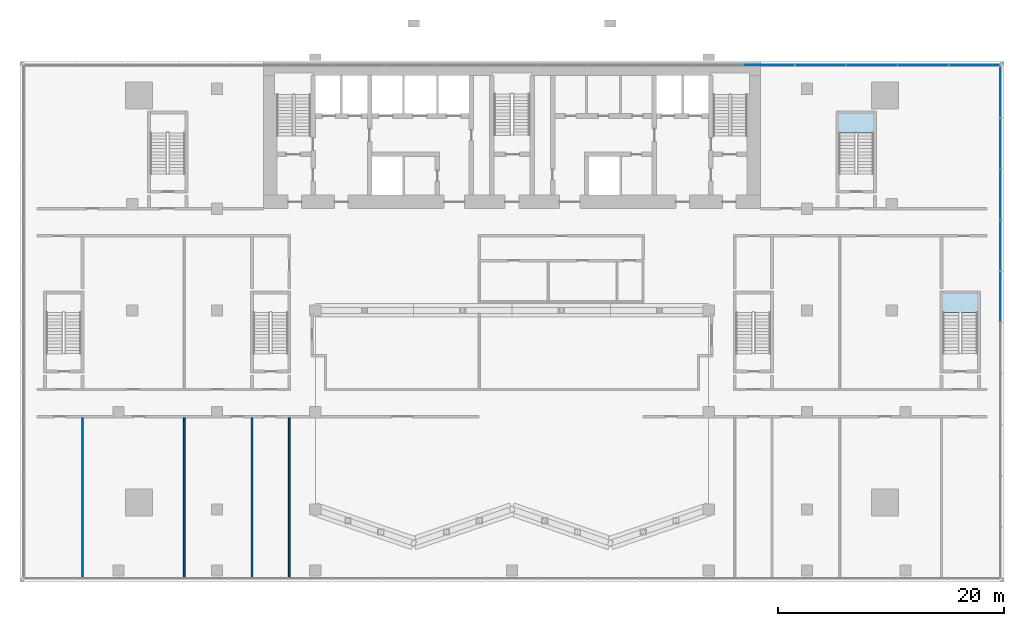
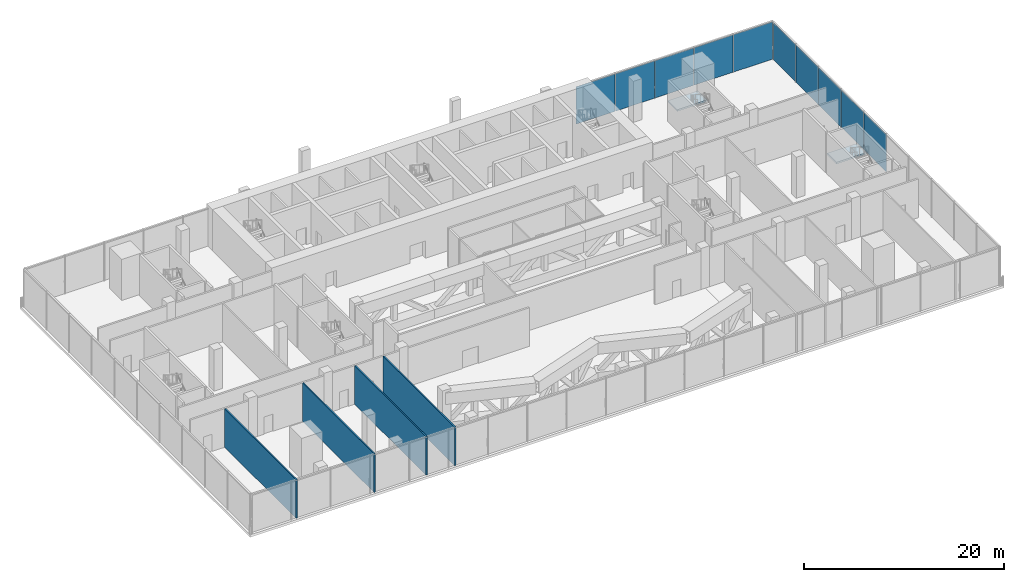
# One storey, part 12 of 22: 10 plates, 4 walls, 2 slabs, 4 elements without a shape of their own.
"""IFC4 building model written with IfcOpenShell, lengths in metres."""

from ifc_helpers import new_model, si_unit, direction, frame, frame_2d, origin, origin_2d, place, context, subcontext, project, spatial, polyline, rectangle, outline, extrude, material, layer, layer_set, type_object, element, aggregate, save


model = new_model("IFC4")

# Units and contexts
model_context = context("Model", 3, precision=1e-05, world=origin(), true_north=direction((0.0, 1.0)))
body_context = subcontext(model_context, "Body", "Model", "MODEL_VIEW")
ifc_project = project(units=[si_unit("LENGTHUNIT", "METRE"), si_unit("AREAUNIT", "SQUARE_METRE"), si_unit("VOLUMEUNIT", "CUBIC_METRE"), si_unit("PLANEANGLEUNIT", "RADIAN"), si_unit("MASSUNIT", "GRAM", prefix="KILO")], contexts=[model_context])

# Site, building, storey
site_placement = place(None, origin())
site = spatial("IfcSite", under=ifc_project, at=site_placement, CompositionType="ELEMENT")
building_placement = place(site_placement, origin())
building = spatial("IfcBuilding", under=site, at=building_placement, Name="Bicima Exchange Tower", CompositionType="ELEMENT")
storey_placement = place(building_placement, frame((0.0, 0.0, 20.0)))
storey = spatial("IfcBuildingStorey", under=building, at=storey_placement, Name="L03", CompositionType="ELEMENT", Elevation=20.0)

# Curtain wall, plates
ifc_material_1 = material(Name="Anodised bronze aluminium", Category="aluminium")
curtain_wall_type = type_object("IfcCurtainWallType", Name="Lobby glazing", PredefinedType="NOTDEFINED", material=ifc_material_1)
curtain_wall_1_placement = place(storey_placement, origin())
curtain_wall_1 = element("IfcCurtainWall", 1, at=curtain_wall_1_placement, inside=storey, type_object=curtain_wall_type, Name="Podium glazing L03 east 1", PredefinedType="NOTDEFINED")
ifc_material_2 = material(Name="Clear low-iron glass", Category="glass")
ifc_layer_1 = layer(ifc_material_2, 0.035888671875)
ifc_layer_set_1 = layer_set([ifc_layer_1], Name="Clear low-iron glass")
plate_type = type_object("IfcPlateType", Name="Lobby glazing glass panel 36", PredefinedType="CURTAIN_PANEL", material=ifc_layer_set_1)
plate_1_placement = place(storey_placement, frame((43.199951171875, -20.7880859375, 0.0), z_axis=(0.0, 0.0, 1.0), x_axis=(0.0, 1.0, 0.0)))
plate_1 = element("IfcPlate", 2, at=plate_1_placement, type_object=plate_type, Name="Lobby glazing panel 6.1", PredefinedType="CURTAIN_PANEL", context=body_context, shape_type="SweptSolid", body=[
    extrude(rectangle(XDim=4.464111328125, YDim=0.035888671875, at=origin_2d()), origin(), (0.0, 0.0, 1.0), 4.56005859375),
])
plate_2_placement = place(storey_placement, frame((43.199951171875, -16.263916015625, 0.0), z_axis=(0.0, 0.0, 1.0), x_axis=(0.0, 1.0, 0.0)))
plate_2 = element("IfcPlate", 3, at=plate_2_placement, type_object=plate_type, Name="Lobby glazing panel 7.1", PredefinedType="CURTAIN_PANEL", context=body_context, shape_type="SweptSolid", body=[
    extrude(rectangle(XDim=4.464111328125, YDim=0.035888671875, at=origin_2d()), origin(), (0.0, 0.0, 1.0), 4.56005859375),
])
plate_3_placement = place(storey_placement, frame((43.199951171875, -11.739990234375, 0.0), z_axis=(0.0, 0.0, 1.0), x_axis=(0.0, 1.0, 0.0)))
plate_3 = element("IfcPlate", 4, at=plate_3_placement, type_object=plate_type, Name="Lobby glazing panel 8.1", PredefinedType="CURTAIN_PANEL", context=body_context, shape_type="SweptSolid", body=[
    extrude(rectangle(XDim=4.464111328125, YDim=0.035888671875, at=origin_2d()), origin(), (0.0, 0.0, 1.0), 4.56005859375),
])
plate_4_placement = place(storey_placement, frame((43.199951171875, -7.216064453125, 0.0), z_axis=(0.0, 0.0, 1.0), x_axis=(0.0, 1.0, 0.0)))
plate_4 = element("IfcPlate", 5, at=plate_4_placement, type_object=plate_type, Name="Lobby glazing panel 9.1", PredefinedType="CURTAIN_PANEL", context=body_context, shape_type="SweptSolid", body=[
    extrude(rectangle(XDim=4.464111328125, YDim=0.035888671875, at=origin_2d()), origin(), (0.0, 0.0, 1.0), 4.56005859375),
])
plate_5_placement = place(storey_placement, frame((43.199951171875, -2.69189453125, 0.0), z_axis=(0.0, 0.0, 1.0), x_axis=(0.0, 1.0, 0.0)))
plate_5 = element("IfcPlate", 6, at=plate_5_placement, type_object=plate_type, Name="Lobby glazing panel 10.1", PredefinedType="CURTAIN_PANEL", context=body_context, shape_type="SweptSolid", body=[
    extrude(rectangle(XDim=4.464111328125, YDim=0.035888671875, at=origin_2d()), origin(), (0.0, 0.0, 1.0), 4.56005859375),
])
aggregate(curtain_wall_1, [plate_1, plate_2, plate_3, plate_4, plate_5])

curtain_wall_2_placement = place(storey_placement, origin())
curtain_wall_2 = element("IfcCurtainWall", 7, at=curtain_wall_2_placement, inside=storey, type_object=curtain_wall_type, Name="Podium glazing L03 north 1", PredefinedType="NOTDEFINED")
plate_6_placement = place(storey_placement, frame((40.900390625, -0.300048828125, 0.0), z_axis=(0.0, 0.0, 1.0), x_axis=(-1.0, 0.0, 0.0)))
plate_6 = element("IfcPlate", 8, at=plate_6_placement, type_object=plate_type, Name="Lobby glazing panel 1.1", PredefinedType="CURTAIN_PANEL", context=body_context, shape_type="SweptSolid", body=[
    extrude(rectangle(XDim=4.47900390625, YDim=0.035888671875, at=origin_2d()), origin(), (0.0, 0.0, 1.0), 4.56005859375),
])
plate_7_placement = place(storey_placement, frame((36.361572265625, -0.300048828125, 0.0), z_axis=(0.0, 0.0, 1.0), x_axis=(-1.0, 0.0, 0.0)))
plate_7 = element("IfcPlate", 9, at=plate_7_placement, type_object=plate_type, Name="Lobby glazing panel 2.1", PredefinedType="CURTAIN_PANEL", context=body_context, shape_type="SweptSolid", body=[
    extrude(rectangle(XDim=4.47900390625, YDim=0.035888671875, at=origin_2d()), origin(), (0.0, 0.0, 1.0), 4.56005859375),
])
plate_8_placement = place(storey_placement, frame((31.822509765625, -0.300048828125, 0.0), z_axis=(0.0, 0.0, 1.0), x_axis=(-1.0, 0.0, 0.0)))
plate_8 = element("IfcPlate", 10, at=plate_8_placement, type_object=plate_type, Name="Lobby glazing panel 3.1", PredefinedType="CURTAIN_PANEL", context=body_context, shape_type="SweptSolid", body=[
    extrude(rectangle(XDim=4.47900390625, YDim=0.035888671875, at=origin_2d()), origin(), (0.0, 0.0, 1.0), 4.56005859375),
])
plate_9_placement = place(storey_placement, frame((27.28369140625, -0.300048828125, 0.0), z_axis=(0.0, 0.0, 1.0), x_axis=(-1.0, 0.0, 0.0)))
plate_9 = element("IfcPlate", 11, at=plate_9_placement, type_object=plate_type, Name="Lobby glazing panel 4.1", PredefinedType="CURTAIN_PANEL", context=body_context, shape_type="SweptSolid", body=[
    extrude(rectangle(XDim=4.47900390625, YDim=0.035888671875, at=origin_2d()), origin(), (0.0, 0.0, 1.0), 4.56005859375),
])
plate_10_placement = place(storey_placement, frame((22.74462890625, -0.300048828125, 0.0), z_axis=(0.0, 0.0, 1.0), x_axis=(-1.0, 0.0, 0.0)))
plate_10 = element("IfcPlate", 12, at=plate_10_placement, type_object=plate_type, Name="Lobby glazing panel 5.1", PredefinedType="CURTAIN_PANEL", context=body_context, shape_type="SweptSolid", body=[
    extrude(rectangle(XDim=4.47900390625, YDim=0.035888671875, at=origin_2d()), origin(), (0.0, 0.0, 1.0), 4.56005859375),
])
aggregate(curtain_wall_2, [plate_6, plate_7, plate_8, plate_9, plate_10])

# Stair, slab
ifc_material_3 = material(Name="Concrete C50/60", Category="concrete")
stair_type = type_object("IfcStairType", Name="Exit stair", PredefinedType="HALF_TURN_STAIR", material=ifc_material_3)
stair_1_placement = place(storey_placement, origin())
stair_1 = element("IfcStair", 13, at=stair_1_placement, inside=storey, type_object=stair_type, Name="L03 East end exit stair", PredefinedType="HALF_TURN_STAIR")
ifc_layer_2 = layer(ifc_material_3, 0.199951171875)
ifc_layer_set_2 = layer_set([ifc_layer_2], Name="Concrete C50/60")
slab_type = type_object("IfcSlabType", Name="Stair landing slab", PredefinedType="LANDING", material=ifc_layer_set_2)
slab_1_placement = place(storey_placement, frame((0.0, 0.0, 2.300048828125)))
slab_1 = element("IfcSlab", 14, at=slab_1_placement, type_object=slab_type, Name="ST-EE landing 1", PredefinedType="LANDING", context=body_context, shape_type="SweptSolid", body=[
    extrude(outline(polyline([(32.175048828125, -6.284912109375), (32.175048828125, -4.425048828125), (28.72509765625, -4.425048828125), (28.72509765625, -6.284912109375), (32.175048828125, -6.284912109375)])), origin(), (0.0, 0.0, 1.0), 0.199951171875),
])
aggregate(stair_1, [slab_1])

stair_2_placement = place(storey_placement, origin())
stair_2 = element("IfcStair", 15, at=stair_2_placement, inside=storey, type_object=stair_type, Name="L03 Podium east stair", PredefinedType="HALF_TURN_STAIR")
slab_2_placement = place(storey_placement, frame((0.0, 0.0, 2.300048828125)))
slab_2 = element("IfcSlab", 16, at=slab_2_placement, type_object=slab_type, Name="PS-E landing 1", PredefinedType="LANDING", context=body_context, shape_type="SweptSolid", body=[
    extrude(outline(polyline([(41.375, -22.18505859375), (41.375, -20.324951171875), (37.925048828125, -20.324951171875), (37.925048828125, -22.18505859375), (41.375, -22.18505859375)])), origin(), (0.0, 0.0, 1.0), 0.199951171875),
])
aggregate(stair_2, [slab_2])

# Walls
ifc_material_4 = material(Name="Gypsum board partition")
ifc_layer_3 = layer(ifc_material_4, 0.14990234375)
ifc_layer_set_3 = layer_set([ifc_layer_3], Name="Gypsum board partition")
wall_type = type_object("IfcWallType", Name="Gypsum partition 150", PredefinedType="PARTITIONING", material=ifc_layer_set_3)
for number, where, z_axis, x_axis, name in (
    (17, (-38.0, -45.7900390625, 0.0), (0.0, 0.0, 1.0), (0.0, 1.0, 0.0), "partition wall 32"),
    (18, (-29.0, -45.7900390625, 0.0), (0.0, 0.0, 1.0), (0.0, 1.0, 0.0), "partition wall 35"),
    (19, (-23.0, -45.7900390625, 0.0), (0.0, 0.0, 1.0), (0.0, 1.0, 0.0), "partition wall 38"),
    (20, (-19.699951171875, -45.7900390625, 0.0), (0.0, 0.0, 1.0), (0.0, 1.0, 0.0), "partition wall 40"),
):
    element("IfcWall", number, at=place(storey_placement, frame(where, z_axis=z_axis, x_axis=x_axis)), inside=storey, type_object=wall_type, Name=name, PredefinedType="PARTITIONING", context=body_context, shape_type="SweptSolid", body=[
        extrude(rectangle(XDim=14.2900390625, YDim=0.14990234375, at=frame_2d((7.14501953125, 0.0))), origin(), (0.0, 0.0, 1.0), 4.699951171875),
    ])

save(model, "model.ifc")
